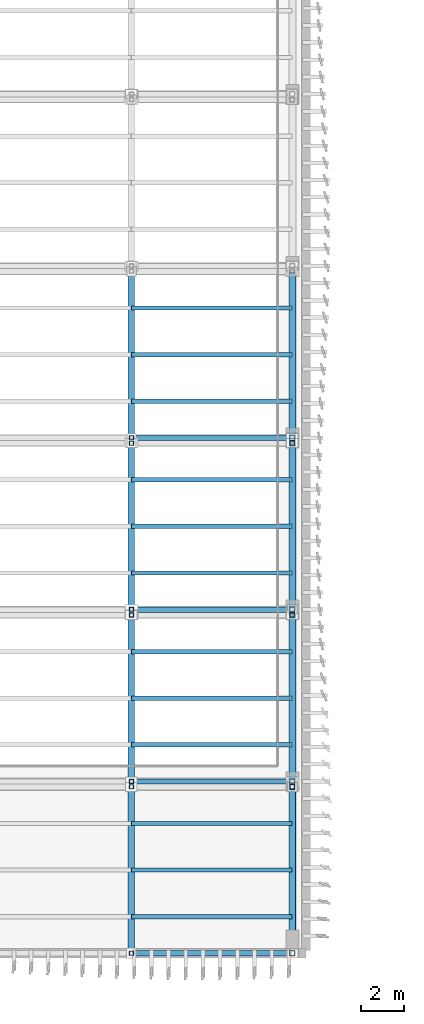
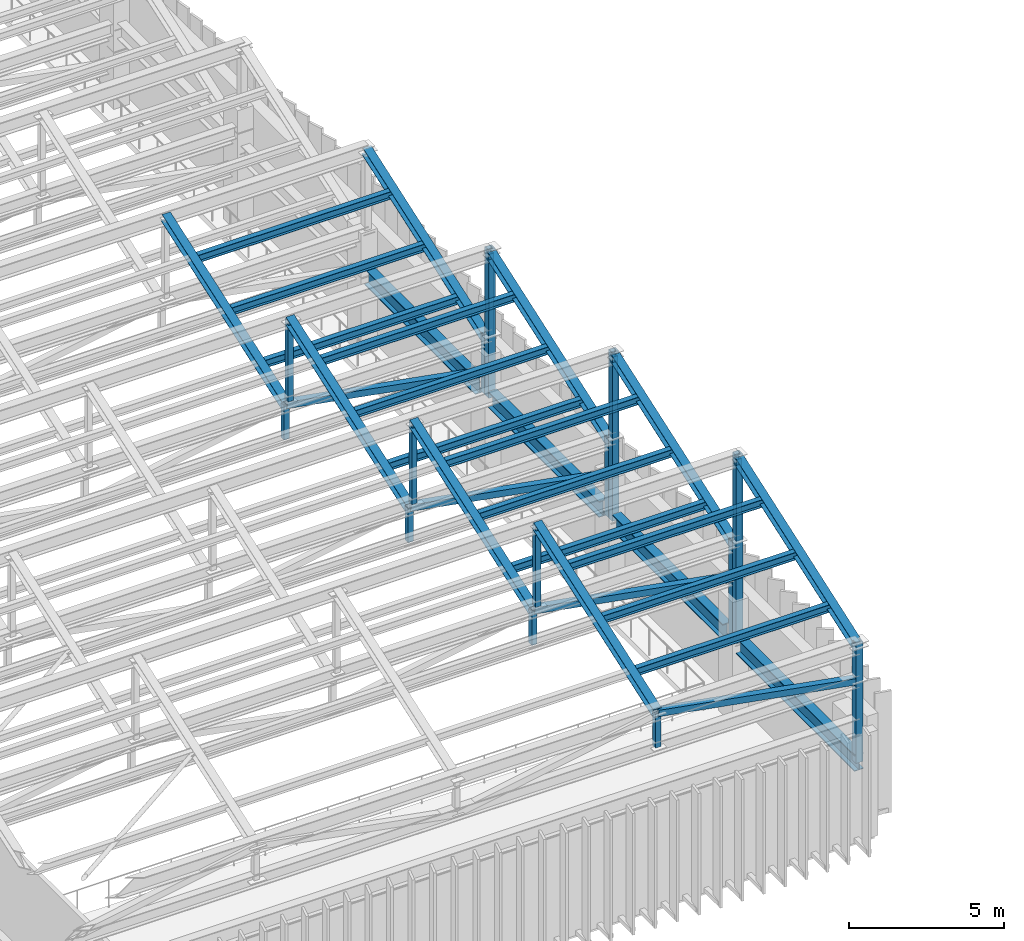
# One storey, part 8 of 76: 41 members, 4 beams.
"""IFC4 building model written with IfcOpenShell, lengths in metres."""

from ifc_helpers import new_model, si_unit, direction, frame, origin, origin_2d, place, context, subcontext, project, spatial, hollow_rectangle, i_section, extrude, material, material_profile, profile_set, type_object, element, save


model = new_model("IFC4")

# Units and contexts
model_context = context("Model", 3, precision=1e-05, world=origin(), true_north=direction((0.0, 1.0)))
body_context = subcontext(model_context, "Body", "Model", "MODEL_VIEW")
ifc_project = project(units=[si_unit("LENGTHUNIT", "METRE"), si_unit("AREAUNIT", "SQUARE_METRE"), si_unit("VOLUMEUNIT", "CUBIC_METRE"), si_unit("PLANEANGLEUNIT", "RADIAN"), si_unit("MASSUNIT", "GRAM", prefix="KILO")], contexts=[model_context])

# Site, building, storey
site_placement = place(None, origin())
site = spatial("IfcSite", under=ifc_project, at=site_placement, CompositionType="ELEMENT")
building_placement = place(site_placement, origin())
building = spatial("IfcBuilding", under=site, at=building_placement, Name="Cinchona Park Media Centre", CompositionType="ELEMENT")
storey_placement = place(building_placement, frame((0.0, 0.0, 15.60009765625)))
storey = spatial("IfcBuildingStorey", under=building, at=storey_placement, Name="L03", CompositionType="ELEMENT", Elevation=15.60009765625)

# Beams
ifc_material_1 = material(Name="Steel S355", Category="steel")
ifc_material_profile_1 = material_profile(ifc_material_1, i_section(OverallWidth=0.3291015625, OverallDepth=0.635009765625, WebThickness=0.017822265625, FlangeThickness=0.031005859375, at=origin_2d()), Name="W610X241")
ifc_profile_set_1 = profile_set([ifc_material_profile_1], Name="Steel S355")
beam_type = type_object("IfcBeamType", Name="BEAM-B05-W610X241", PredefinedType="BEAM", material=ifc_profile_set_1)
beam_placement = place(storey_placement, frame((45.360107421875, 7.5, 3.0498046875), z_axis=(0.0, 1.0, 0.0), x_axis=(-1.0, 0.0, 0.0)))
element("IfcBeam", 1, at=beam_placement, inside=storey, type_object=beam_type, Name="Sawtooth Valley Edge Girder B05 V1", PredefinedType="BEAM", context=body_context, shape_type="SweptSolid", body=[
    extrude(i_section(OverallWidth=0.3291015625, OverallDepth=0.635009765625, WebThickness=0.017822265625, FlangeThickness=0.031005859375, at=origin_2d()), origin(), (0.0, 0.0, 1.0), 7.679931640625),
])
for number, where, z_axis, x_axis, name in (
    (2, (45.360107421875, 16.02001953125, 3.0498046875), (0.0, 1.0, 0.0), (-1.0, 0.0, 0.0), "Sawtooth Valley Edge Girder B05 V1"),
    (3, (45.360107421875, 24.02001953125, 3.0498046875), (0.0, 1.0, 0.0), (-1.0, 0.0, 0.0), "Sawtooth Valley Edge Girder B05 V1"),
    (4, (45.360107421875, 32.02001953125, 3.0498046875), (0.0, 1.0, 0.0), (-1.0, 0.0, 0.0), "Sawtooth Valley Edge Girder B05 V1"),
):
    element("IfcBeam", number, at=place(storey_placement, frame(where, z_axis=z_axis, x_axis=x_axis)), inside=storey, type_object=beam_type, Name=name, PredefinedType="BEAM", context=body_context, shape_type="SweptSolid", body=[
        extrude(i_section(OverallWidth=0.3291015625, OverallDepth=0.635009765625, WebThickness=0.017822265625, FlangeThickness=0.031005859375, at=origin_2d()), origin(), (0.0, 0.0, 1.0), 7.159912109375),
    ])

# Members
ifc_material_2 = material(Name="Steel S355", Category="steel")
ifc_material_profile_2 = material_profile(ifc_material_2, i_section(OverallWidth=0.202880859375, OverallDepth=0.302978515625, WebThickness=0.007568359375, FlangeThickness=0.01318359375, at=origin_2d()), Name="W310X60")
ifc_profile_set_2 = profile_set([ifc_material_profile_2], Name="Steel S355")
member_type_1 = type_object("IfcMemberType", Name="MEMBER-PR01-W310X60", PredefinedType="PURLIN", material=ifc_profile_set_2)
for number, where, z_axis, x_axis, name in (
    (5, (37.8798828125, 9.304931640625, 8.1123046875), (1.0, 0.0, 0.0), (0.0, 1.0, 0.0), "Sawtooth Roof Purlin PR01"),
    (6, (37.8798828125, 11.47509765625, 8.868408203125), (1.0, 0.0, 0.0), (0.0, 1.0, 0.0), "Sawtooth Roof Purlin PR01"),
    (7, (37.8798828125, 13.64501953125, 9.62451171875), (1.0, 0.0, 0.0), (0.0, 1.0, 0.0), "Sawtooth Roof Purlin PR01"),
    (8, (37.8798828125, 17.304931640625, 7.3125), (1.0, 0.0, 0.0), (0.0, 1.0, 0.0), "Sawtooth Roof Purlin PR01"),
    (9, (37.8798828125, 19.47509765625, 8.068359375), (1.0, 0.0, 0.0), (0.0, 1.0, 0.0), "Sawtooth Roof Purlin PR01"),
    (10, (37.8798828125, 21.64501953125, 8.824462890625), (1.0, 0.0, 0.0), (0.0, 1.0, 0.0), "Sawtooth Roof Purlin PR01"),
    (11, (37.8798828125, 25.304931640625, 6.512451171875), (1.0, 0.0, 0.0), (0.0, 1.0, 0.0), "Sawtooth Roof Purlin PR01"),
    (12, (37.8798828125, 27.47509765625, 7.268310546875), (1.0, 0.0, 0.0), (0.0, 1.0, 0.0), "Sawtooth Roof Purlin PR01"),
    (13, (37.8798828125, 29.64501953125, 8.0244140625), (1.0, 0.0, 0.0), (0.0, 1.0, 0.0), "Sawtooth Roof Purlin PR01"),
    (14, (37.8798828125, 33.304931640625, 5.71240234375), (1.0, 0.0, 0.0), (0.0, 1.0, 0.0), "Sawtooth Roof Purlin PR01"),
    (15, (37.8798828125, 35.47509765625, 6.468505859375), (1.0, 0.0, 0.0), (0.0, 1.0, 0.0), "Sawtooth Roof Purlin PR01"),
    (16, (37.8798828125, 37.64501953125, 7.224365234375), (1.0, 0.0, 0.0), (0.0, 1.0, 0.0), "Sawtooth Roof Purlin PR01"),
):
    element("IfcMember", number, at=place(storey_placement, frame(where, z_axis=z_axis, x_axis=x_axis)), inside=storey, type_object=member_type_1, Name=name, PredefinedType="PURLIN", context=body_context, shape_type="SweptSolid", body=[
        extrude(i_section(OverallWidth=0.202880859375, OverallDepth=0.302978515625, WebThickness=0.007568359375, FlangeThickness=0.01318359375, at=origin_2d()), origin(), (0.0, 0.0, 1.0), 7.47021484375),
    ])
ifc_material_3 = material(Name="Steel S355", Category="steel")
ifc_material_profile_3 = material_profile(ifc_material_3, hollow_rectangle(XDim=0.199951171875, YDim=0.199951171875, WallThickness=0.012451171875, at=origin_2d()), Name="200X200X12.5SHS")
ifc_profile_set_3 = profile_set([ifc_material_profile_3], Name="Steel S355")
member_type_2 = type_object("IfcMemberType", Name="MEMBER-TS01-SHS200X200X12.5", PredefinedType="STRUT", material=ifc_profile_set_3)
member_1_placement = place(storey_placement, frame((37.8701171875, 7.60009765625, 6.25), z_axis=(0.0, 0.0, 1.0), x_axis=(1.0, 0.0, 0.0)))
element("IfcMember", 17, at=member_1_placement, inside=storey, type_object=member_type_2, Name="ROOF TRUSS Vertical Strut TN3", PredefinedType="STRUT", context=body_context, shape_type="SweptSolid", body=[
    extrude(hollow_rectangle(XDim=0.199951171875, YDim=0.199951171875, WallThickness=0.012451171875, at=origin_2d()), origin(), (0.0, 0.0, 1.0), 1.349853515625),
])
for number, where, z_axis, x_axis, name in (
    (18, (37.8701171875, 15.35009765625, 7.099853515625), (0.0, 0.0, 1.0), (1.0, 0.0, 0.0), "ROOF TRUSS Monitor Post V1 Bay 1"),
    (19, (45.360107421875, 15.35009765625, 7.099853515625), (0.0, 0.0, 1.0), (1.0, 0.0, 0.0), "ROOF TRUSS Monitor Post V1 Bay 1"),
):
    element("IfcMember", number, at=place(storey_placement, frame(where, z_axis=z_axis, x_axis=x_axis)), inside=storey, type_object=member_type_2, Name=name, PredefinedType="STRUT", context=body_context, shape_type="SweptSolid", body=[
        extrude(hollow_rectangle(XDim=0.199951171875, YDim=0.199951171875, WallThickness=0.012451171875, at=origin_2d()), origin(), (0.0, 0.0, 1.0), 3.199951171875),
    ])
member_2_placement = place(storey_placement, frame((37.8701171875, 15.60009765625, 5.449951171875), z_axis=(0.0, 0.0, 1.0), x_axis=(1.0, 0.0, 0.0)))
element("IfcMember", 20, at=member_2_placement, inside=storey, type_object=member_type_2, Name="ROOF TRUSS Vertical Strut TN3", PredefinedType="STRUT", context=body_context, shape_type="SweptSolid", body=[
    extrude(hollow_rectangle(XDim=0.199951171875, YDim=0.199951171875, WallThickness=0.012451171875, at=origin_2d()), origin(), (0.0, 0.0, 1.0), 1.349853515625),
])
for number, where, z_axis, x_axis, name in (
    (21, (37.8701171875, 23.35009765625, 6.2998046875), (0.0, 0.0, 1.0), (1.0, 0.0, 0.0), "ROOF TRUSS Monitor Post V1 Bay 2"),
    (22, (45.360107421875, 23.35009765625, 6.2998046875), (0.0, 0.0, 1.0), (1.0, 0.0, 0.0), "ROOF TRUSS Monitor Post V1 Bay 2"),
):
    element("IfcMember", number, at=place(storey_placement, frame(where, z_axis=z_axis, x_axis=x_axis)), inside=storey, type_object=member_type_2, Name=name, PredefinedType="STRUT", context=body_context, shape_type="SweptSolid", body=[
        extrude(hollow_rectangle(XDim=0.199951171875, YDim=0.199951171875, WallThickness=0.012451171875, at=origin_2d()), origin(), (0.0, 0.0, 1.0), 3.2001953125),
    ])
member_3_placement = place(storey_placement, frame((37.8701171875, 23.60009765625, 4.64990234375), z_axis=(0.0, 0.0, 1.0), x_axis=(1.0, 0.0, 0.0)))
element("IfcMember", 23, at=member_3_placement, inside=storey, type_object=member_type_2, Name="ROOF TRUSS Vertical Strut TN3", PredefinedType="STRUT", context=body_context, shape_type="SweptSolid", body=[
    extrude(hollow_rectangle(XDim=0.199951171875, YDim=0.199951171875, WallThickness=0.012451171875, at=origin_2d()), origin(), (0.0, 0.0, 1.0), 1.35009765625),
])
for number, where, z_axis, x_axis, name in (
    (24, (37.8701171875, 31.35009765625, 5.5), (0.0, 0.0, 1.0), (1.0, 0.0, 0.0), "ROOF TRUSS Monitor Post V1 Bay 3"),
    (25, (45.360107421875, 31.35009765625, 5.5), (0.0, 0.0, 1.0), (1.0, 0.0, 0.0), "ROOF TRUSS Monitor Post V1 Bay 3"),
):
    element("IfcMember", number, at=place(storey_placement, frame(where, z_axis=z_axis, x_axis=x_axis)), inside=storey, type_object=member_type_2, Name=name, PredefinedType="STRUT", context=body_context, shape_type="SweptSolid", body=[
        extrude(hollow_rectangle(XDim=0.199951171875, YDim=0.199951171875, WallThickness=0.012451171875, at=origin_2d()), origin(), (0.0, 0.0, 1.0), 3.199951171875),
    ])
member_4_placement = place(storey_placement, frame((37.8701171875, 31.60009765625, 3.849853515625), z_axis=(0.0, 0.0, 1.0), x_axis=(1.0, 0.0, 0.0)))
element("IfcMember", 26, at=member_4_placement, inside=storey, type_object=member_type_2, Name="ROOF TRUSS Vertical Strut TN3", PredefinedType="STRUT", context=body_context, shape_type="SweptSolid", body=[
    extrude(hollow_rectangle(XDim=0.199951171875, YDim=0.199951171875, WallThickness=0.012451171875, at=origin_2d()), origin(), (0.0, 0.0, 1.0), 1.35009765625),
])
ifc_material_4 = material(Name="Steel S355", Category="steel")
ifc_material_profile_4 = material_profile(ifc_material_4, hollow_rectangle(XDim=0.25, YDim=0.25, WallThickness=0.01611328125, at=origin_2d()), Name="250X250X16SHS")
ifc_profile_set_4 = profile_set([ifc_material_profile_4], Name="Steel S355")
member_type_3 = type_object("IfcMemberType", Name="MEMBER-TS02-SHS250X250X16", PredefinedType="STRUT", material=ifc_profile_set_4)
member_5_placement = place(storey_placement, frame((45.360107421875, 7.60009765625, 3.0498046875), z_axis=(0.0, 0.0, 1.0), x_axis=(1.0, 0.0, 0.0)))
element("IfcMember", 27, at=member_5_placement, inside=storey, type_object=member_type_3, Name="Sawtooth Bearing Post TS02 V1 B1", PredefinedType="STRUT", context=body_context, shape_type="SweptSolid", body=[
    extrude(hollow_rectangle(XDim=0.25, YDim=0.25, WallThickness=0.01611328125, at=origin_2d()), origin(), (0.0, 0.0, 1.0), 4.739990234375),
])
member_6_placement = place(storey_placement, frame((45.360107421875, 15.35009765625, 3.0498046875), z_axis=(0.0, 0.0, 1.0), x_axis=(1.0, 0.0, 0.0)))
element("IfcMember", 28, at=member_6_placement, inside=storey, type_object=member_type_3, Name="Sawtooth Bearing Post TS02 V1 B1", PredefinedType="STRUT", context=body_context, shape_type="SweptSolid", body=[
    extrude(hollow_rectangle(XDim=0.25, YDim=0.25, WallThickness=0.01611328125, at=origin_2d()), origin(), (0.0, 0.0, 1.0), 7.440185546875),
])
member_7_placement = place(storey_placement, frame((37.8701171875, 7.60009765625, 7.599853515625), z_axis=(0.984145381083, 0.0, -0.177363662832), x_axis=(0.0, 1.0, 0.0)))
element("IfcMember", 29, at=member_7_placement, inside=storey, type_object=member_type_3, Name="ROOF TRUSS Web Diagonal TN4", PredefinedType="STRUT", context=body_context, shape_type="SweptSolid", body=[
    extrude(hollow_rectangle(XDim=0.25, YDim=0.25, WallThickness=0.01611328125, at=origin_2d()), origin(), (0.0, 0.0, 1.0), 7.610595703125),
])
member_8_placement = place(storey_placement, frame((45.360107421875, 15.60009765625, 3.0498046875), z_axis=(0.0, 0.0, 1.0), x_axis=(1.0, 0.0, 0.0)))
element("IfcMember", 30, at=member_8_placement, inside=storey, type_object=member_type_3, Name="Sawtooth Bearing Post TS02 V1 B2", PredefinedType="STRUT", context=body_context, shape_type="SweptSolid", body=[
    extrude(hollow_rectangle(XDim=0.25, YDim=0.25, WallThickness=0.01611328125, at=origin_2d()), origin(), (0.0, 0.0, 1.0), 3.940185546875),
])
member_9_placement = place(storey_placement, frame((45.360107421875, 23.35009765625, 3.0498046875), z_axis=(0.0, 0.0, 1.0), x_axis=(1.0, 0.0, 0.0)))
element("IfcMember", 31, at=member_9_placement, inside=storey, type_object=member_type_3, Name="Sawtooth Bearing Post TS02 V1 B2", PredefinedType="STRUT", context=body_context, shape_type="SweptSolid", body=[
    extrude(hollow_rectangle(XDim=0.25, YDim=0.25, WallThickness=0.01611328125, at=origin_2d()), origin(), (0.0, 0.0, 1.0), 6.64013671875),
])
member_10_placement = place(storey_placement, frame((37.8701171875, 15.60009765625, 6.7998046875), z_axis=(0.984145381083, 0.0, -0.177363662832), x_axis=(0.0, 1.0, 0.0)))
element("IfcMember", 32, at=member_10_placement, inside=storey, type_object=member_type_3, Name="ROOF TRUSS Web Diagonal TN4", PredefinedType="STRUT", context=body_context, shape_type="SweptSolid", body=[
    extrude(hollow_rectangle(XDim=0.25, YDim=0.25, WallThickness=0.01611328125, at=origin_2d()), origin(), (0.0, 0.0, 1.0), 7.610595703125),
])
member_11_placement = place(storey_placement, frame((45.360107421875, 23.60009765625, 3.0498046875), z_axis=(0.0, 0.0, 1.0), x_axis=(1.0, 0.0, 0.0)))
element("IfcMember", 33, at=member_11_placement, inside=storey, type_object=member_type_3, Name="Sawtooth Bearing Post TS02 V1 B3", PredefinedType="STRUT", context=body_context, shape_type="SweptSolid", body=[
    extrude(hollow_rectangle(XDim=0.25, YDim=0.25, WallThickness=0.01611328125, at=origin_2d()), origin(), (0.0, 0.0, 1.0), 3.14013671875),
])
member_12_placement = place(storey_placement, frame((45.360107421875, 31.35009765625, 3.0498046875), z_axis=(0.0, 0.0, 1.0), x_axis=(1.0, 0.0, 0.0)))
element("IfcMember", 34, at=member_12_placement, inside=storey, type_object=member_type_3, Name="Sawtooth Bearing Post TS02 V1 B3", PredefinedType="STRUT", context=body_context, shape_type="SweptSolid", body=[
    extrude(hollow_rectangle(XDim=0.25, YDim=0.25, WallThickness=0.01611328125, at=origin_2d()), origin(), (0.0, 0.0, 1.0), 5.840087890625),
])
member_13_placement = place(storey_placement, frame((37.8701171875, 23.60009765625, 6.0), z_axis=(0.984139781218, 0.0, -0.177394732232), x_axis=(0.0, 1.0, 0.0)))
element("IfcMember", 35, at=member_13_placement, inside=storey, type_object=member_type_3, Name="ROOF TRUSS Web Diagonal TN4", PredefinedType="STRUT", context=body_context, shape_type="SweptSolid", body=[
    extrude(hollow_rectangle(XDim=0.25, YDim=0.25, WallThickness=0.01611328125, at=origin_2d()), origin(), (0.0, 0.0, 1.0), 7.610595703125),
])
member_14_placement = place(storey_placement, frame((45.360107421875, 31.60009765625, 3.0498046875), z_axis=(0.0, 0.0, 1.0), x_axis=(1.0, 0.0, 0.0)))
element("IfcMember", 36, at=member_14_placement, inside=storey, type_object=member_type_3, Name="Sawtooth Bearing Post TS02 V1 B4", PredefinedType="STRUT", context=body_context, shape_type="SweptSolid", body=[
    extrude(hollow_rectangle(XDim=0.25, YDim=0.25, WallThickness=0.01611328125, at=origin_2d()), origin(), (0.0, 0.0, 1.0), 2.340087890625),
])
member_15_placement = place(storey_placement, frame((37.8701171875, 31.60009765625, 5.199951171875), z_axis=(0.984139781218, 0.0, -0.177394732232), x_axis=(0.0, 1.0, 0.0)))
element("IfcMember", 37, at=member_15_placement, inside=storey, type_object=member_type_3, Name="ROOF TRUSS Web Diagonal TN4", PredefinedType="STRUT", context=body_context, shape_type="SweptSolid", body=[
    extrude(hollow_rectangle(XDim=0.25, YDim=0.25, WallThickness=0.01611328125, at=origin_2d()), origin(), (0.0, 0.0, 1.0), 7.610595703125),
])
ifc_material_5 = material(Name="Steel S355", Category="steel")
ifc_material_profile_5 = material_profile(ifc_material_5, i_section(OverallWidth=0.304931640625, OverallDepth=0.30810546875, WebThickness=0.010009765625, FlangeThickness=0.015380859375, at=origin_2d()), Name="W310X97")
ifc_profile_set_5 = profile_set([ifc_material_profile_5], Name="Steel S355")
member_type_4 = type_object("IfcMemberType", Name="MEMBER-TS06-W310X97", PredefinedType="STRUT", material=ifc_profile_set_5)
for number, where, z_axis, x_axis, name in (
    (38, (37.8701171875, 7.60009765625, 7.599853515625), (0.0, 0.944334143314, 0.328987880888), (-1.0, 0.0, 0.0), "ROOF TRUSS Sawtooth Rafter V1 Bay 1"),
    (39, (45.360107421875, 7.60009765625, 7.599853515625), (0.0, 0.944334143314, 0.328987880888), (-1.0, 0.0, 0.0), "ROOF TRUSS Sawtooth Rafter V1 Bay 1"),
):
    element("IfcMember", number, at=place(storey_placement, frame(where, z_axis=z_axis, x_axis=x_axis)), inside=storey, type_object=member_type_4, Name=name, PredefinedType="STRUT", context=body_context, shape_type="SweptSolid", body=[
        extrude(i_section(OverallWidth=0.304931640625, OverallDepth=0.30810546875, WebThickness=0.010009765625, FlangeThickness=0.015380859375, at=origin_2d()), origin(), (0.0, 0.0, 1.0), 8.206787109375),
    ])
for number, where, z_axis, x_axis, name in (
    (40, (37.8701171875, 15.60009765625, 6.7998046875), (0.0, 0.944324900954, 0.329014409165), (-1.0, 0.0, 0.0), "ROOF TRUSS Sawtooth Rafter V1 Bay 2"),
    (41, (45.360107421875, 15.60009765625, 6.7998046875), (0.0, 0.944324900954, 0.329014409165), (-1.0, 0.0, 0.0), "ROOF TRUSS Sawtooth Rafter V1 Bay 2"),
):
    element("IfcMember", number, at=place(storey_placement, frame(where, z_axis=z_axis, x_axis=x_axis)), inside=storey, type_object=member_type_4, Name=name, PredefinedType="STRUT", context=body_context, shape_type="SweptSolid", body=[
        extrude(i_section(OverallWidth=0.304931640625, OverallDepth=0.30810546875, WebThickness=0.010009765625, FlangeThickness=0.015380859375, at=origin_2d()), origin(), (0.0, 0.0, 1.0), 8.20703125),
    ])
for number, where, z_axis, x_axis, name in (
    (42, (37.8701171875, 23.60009765625, 6.0), (0.0, 0.944334143314, 0.328987880888), (-1.0, 0.0, 0.0), "ROOF TRUSS Sawtooth Rafter V1 Bay 3"),
    (43, (45.360107421875, 23.60009765625, 6.0), (0.0, 0.944334143314, 0.328987880888), (-1.0, 0.0, 0.0), "ROOF TRUSS Sawtooth Rafter V1 Bay 3"),
    (44, (37.8701171875, 31.60009765625, 5.199951171875), (0.0, 0.944334143314, 0.328987880888), (-1.0, 0.0, 0.0), "ROOF TRUSS Sawtooth Rafter V1 Bay 4"),
    (45, (45.360107421875, 31.60009765625, 5.199951171875), (0.0, 0.944334143314, 0.328987880888), (-1.0, 0.0, 0.0), "ROOF TRUSS Sawtooth Rafter V1 Bay 4"),
):
    element("IfcMember", number, at=place(storey_placement, frame(where, z_axis=z_axis, x_axis=x_axis)), inside=storey, type_object=member_type_4, Name=name, PredefinedType="STRUT", context=body_context, shape_type="SweptSolid", body=[
        extrude(i_section(OverallWidth=0.304931640625, OverallDepth=0.30810546875, WebThickness=0.010009765625, FlangeThickness=0.015380859375, at=origin_2d()), origin(), (0.0, 0.0, 1.0), 8.206787109375),
    ])

save(model, "model.ifc")
